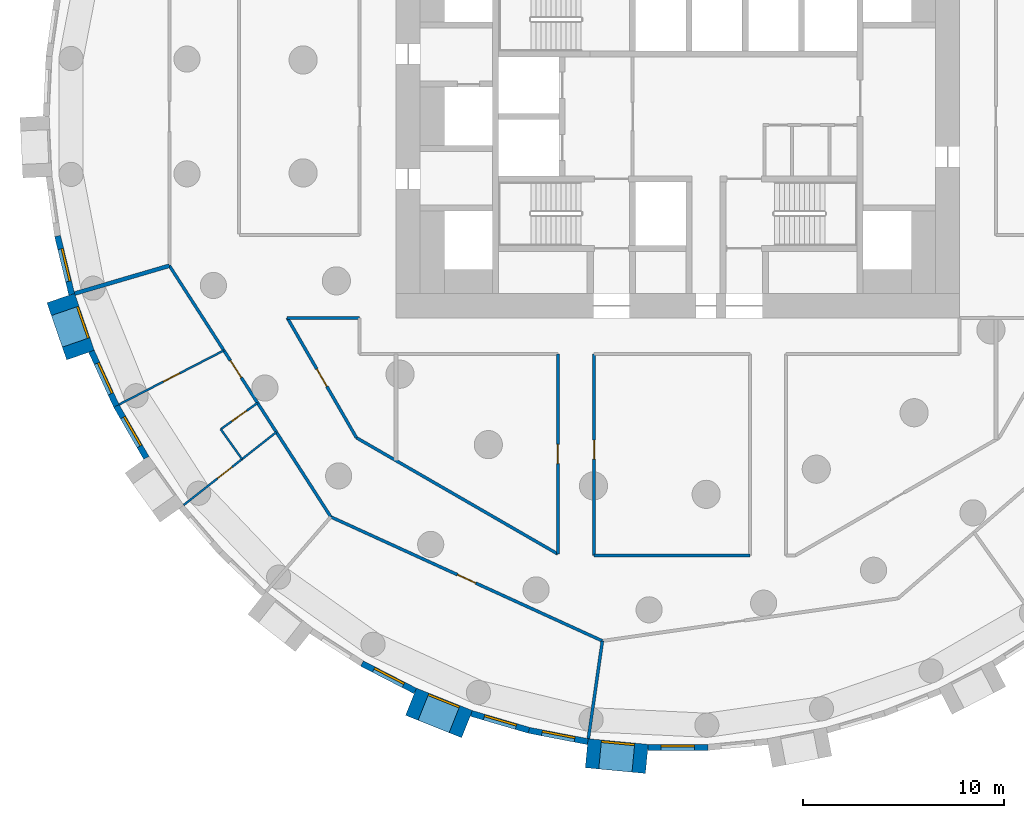
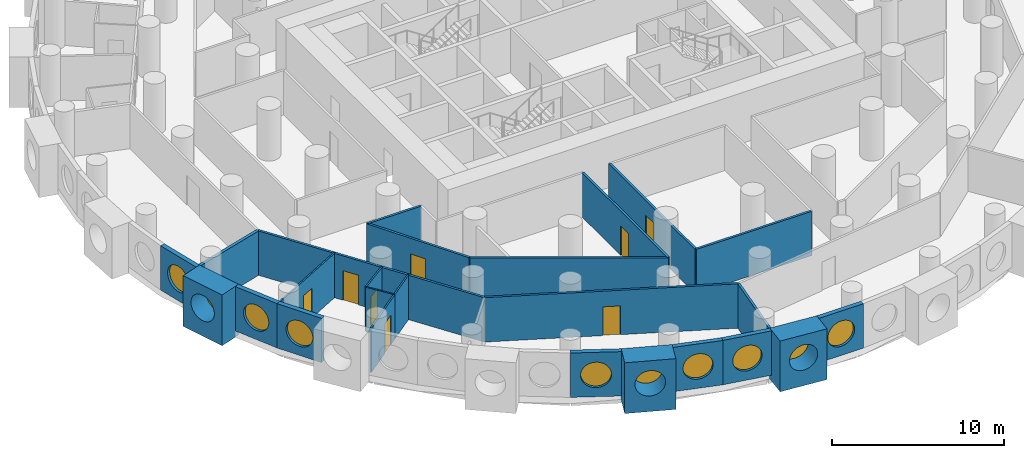
# One storey, part 3 of 12: 25 walls, 10 windows, 8 doors, 18 openings.
"""IFC4 building model written with IfcOpenShell, lengths in metres."""

from ifc_helpers import new_model, si_unit, direction, frame, frame_2d, origin, origin_2d, place, context, subcontext, project, spatial, rectangle, circle, extrude, material, layer, layer_set, type_object, element, fill, save


model = new_model("IFC4")

# Units and contexts
model_context = context("Model", 3, precision=1e-05, world=origin(), true_north=direction((0.0, 1.0)))
body_context = subcontext(model_context, "Body", "Model", "MODEL_VIEW")
ifc_project = project(units=[si_unit("LENGTHUNIT", "METRE"), si_unit("AREAUNIT", "SQUARE_METRE"), si_unit("VOLUMEUNIT", "CUBIC_METRE"), si_unit("PLANEANGLEUNIT", "RADIAN"), si_unit("MASSUNIT", "GRAM", prefix="KILO")], contexts=[model_context])

# Site, building, storey
site_placement = place(None, origin())
site = spatial("IfcSite", under=ifc_project, at=site_placement, CompositionType="ELEMENT")
building_placement = place(site_placement, origin())
building = spatial("IfcBuilding", under=site, at=building_placement, Name="Tracery Tower", CompositionType="ELEMENT")
storey_placement = place(building_placement, frame((0.0, 0.0, 85.800048828125)))
storey = spatial("IfcBuildingStorey", under=building, at=storey_placement, Name="L21", CompositionType="ELEMENT", Elevation=85.800048828125)

# Wall, opening, window
ifc_material_1 = material(Name="Precast concrete C50/60", Category="concrete")
ifc_layer_1 = layer(ifc_material_1, 1.449951171875)
ifc_layer_set_1 = layer_set([ifc_layer_1], Name="Deep-set bay unit 3000 x 3600, slab edge 450")
wall_type_1 = type_object("IfcWallType", Name="Deep-set bay unit 3000 x 3600, slab edge 450", PredefinedType="ELEMENTEDWALL", material=ifc_layer_set_1)
wall_1_placement = place(storey_placement, frame((-30.649169921875, -9.0205078125, -0.449951171875), z_axis=(0.0, 0.0, 1.0), x_axis=(0.327071431777, -0.944999618262, 0.0)))
wall_1 = element("IfcWall", 1, at=wall_1_placement, inside=storey, type_object=wall_type_1, Name="Deep-set bay unit 37 at L21", PredefinedType="ELEMENTEDWALL", context=body_context, shape_type="SweptSolid", body=[
    extrude(rectangle(XDim=3.0, YDim=1.449951171875, at=frame_2d((1.5, 0.0))), origin(), (0.0, 0.0, 1.0), 3.599853515625),
])
opening_1_placement = place(wall_1_placement, frame((1.5, 0.0, 2.0)))
opening_1 = element("IfcOpeningElement", 2, at=opening_1_placement, cuts=wall_1, Name="Opening WN1", PredefinedType="OPENING", context=body_context, shape_type="SweptSolid", body=[
    extrude(circle(Radius=0.9000244140625, at=origin_2d()), frame((0.0, 0.73486328125, 0.0), z_axis=(0.0, -1.0, 0.0), x_axis=(1.0, 0.0, 0.0)), (0.0, 0.0, 1.0), 1.469970703125),
])
ifc_material_2 = material(Name="Aluminium frame with tinted double glazing", Category="aluminium")
window_type = type_object("IfcWindowType", Name="Round window 1800", PartitioningType="SINGLE_PANEL", PredefinedType="WINDOW", material=ifc_material_2)
window_1_placement = place(opening_1_placement, origin())
window_1 = element("IfcWindow", 3, at=window_1_placement, inside=storey, type_object=window_type, Name="Round window 37 at L21", OverallHeight=1.800048828125, OverallWidth=1.800048828125, PartitioningType="SINGLE_PANEL", PredefinedType="WINDOW", context=body_context, shape_type="SweptSolid", body=[
    extrude(circle(Radius=0.9000244140625, at=origin_2d()), frame((0.0, 0.69482421875, 0.0), z_axis=(0.0, -1.0, 0.0), x_axis=(1.0, 0.0, 0.0)), (0.0, 0.0, 1.0), 0.10009765625),
])
fill(opening_1, window_1)

wall_2_placement = place(storey_placement, frame((-13.253662109375, -29.0703125, -0.449951171875), z_axis=(0.0, 0.0, 1.0), x_axis=(0.928358776184, -0.371685327504, 0.0)))
wall_2 = element("IfcWall", 4, at=wall_2_placement, inside=storey, type_object=wall_type_1, Name="Deep-set bay unit 46 at L21", PredefinedType="ELEMENTEDWALL", context=body_context, shape_type="SweptSolid", body=[
    extrude(rectangle(XDim=2.999755859375, YDim=1.449951171875, at=frame_2d((1.5, 0.0))), origin(), (0.0, 0.0, 1.0), 3.599853515625),
])
opening_2_placement = place(wall_2_placement, frame((1.5, 0.0, 2.0)))
opening_2 = element("IfcOpeningElement", 5, at=opening_2_placement, cuts=wall_2, Name="Opening WN1", PredefinedType="OPENING", context=body_context, shape_type="SweptSolid", body=[
    extrude(circle(Radius=0.9000244140625, at=origin_2d()), frame((0.0, 0.73486328125, 0.0), z_axis=(0.0, -1.0, 0.0), x_axis=(1.0, 0.0, 0.0)), (0.0, 0.0, 1.0), 1.469970703125),
])
window_2_placement = place(opening_2_placement, origin())
window_2 = element("IfcWindow", 6, at=window_2_placement, inside=storey, type_object=window_type, Name="Round window 46 at L21", OverallHeight=1.800048828125, OverallWidth=1.800048828125, PartitioningType="SINGLE_PANEL", PredefinedType="WINDOW", context=body_context, shape_type="SweptSolid", body=[
    extrude(circle(Radius=0.9000244140625, at=origin_2d()), frame((0.0, 0.69482421875, 0.0), z_axis=(0.0, -1.0, 0.0), x_axis=(1.0, 0.0, 0.0)), (0.0, 0.0, 1.0), 0.10009765625),
])
fill(opening_2, window_2)

wall_3_placement = place(storey_placement, frame((-4.52685546875, -31.626708984375, -0.449951171875), z_axis=(0.0, 0.0, 1.0), x_axis=(0.995472768558, -0.09504718333, 0.0)))
wall_3 = element("IfcWall", 7, at=wall_3_placement, inside=storey, type_object=wall_type_1, Name="Deep-set bay unit 49 at L21", PredefinedType="ELEMENTEDWALL", context=body_context, shape_type="SweptSolid", body=[
    extrude(rectangle(XDim=3.000244140625, YDim=1.449951171875, at=frame_2d((1.5, 0.0))), origin(), (0.0, 0.0, 1.0), 3.599853515625),
])
opening_3_placement = place(wall_3_placement, frame((1.5, 0.0, 2.0)))
opening_3 = element("IfcOpeningElement", 8, at=opening_3_placement, cuts=wall_3, Name="Opening WN1", PredefinedType="OPENING", context=body_context, shape_type="SweptSolid", body=[
    extrude(circle(Radius=0.9000244140625, at=origin_2d()), frame((0.0, 0.73486328125, 0.0), z_axis=(0.0, -1.0, 0.0), x_axis=(1.0, 0.0, 0.0)), (0.0, 0.0, 1.0), 1.469970703125),
])
window_3_placement = place(opening_3_placement, origin())
window_3 = element("IfcWindow", 9, at=window_3_placement, inside=storey, type_object=window_type, Name="Round window 49 at L21", OverallHeight=1.800048828125, OverallWidth=1.800048828125, PartitioningType="SINGLE_PANEL", PredefinedType="WINDOW", context=body_context, shape_type="SweptSolid", body=[
    extrude(circle(Radius=0.9000244140625, at=origin_2d()), frame((0.0, 0.69482421875, 0.0), z_axis=(0.0, -1.0, 0.0), x_axis=(1.0, 0.0, 0.0)), (0.0, 0.0, 1.0), 0.10009765625),
])
fill(opening_3, window_3)

ifc_material_3 = material(Name="Precast concrete C50/60", Category="concrete")
ifc_layer_2 = layer(ifc_material_3, 0.300048828125)
ifc_layer_set_2 = layer_set([ifc_layer_2], Name="Facade panel 3000 x 3150")
wall_type_2 = type_object("IfcWallType", Name="Facade panel 3000 x 3150", PredefinedType="SOLIDWALL", material=ifc_layer_set_2)
wall_4_placement = place(storey_placement, frame((-30.807373046875, -5.937744140625, 0.0), z_axis=(0.0, 0.0, 1.0), x_axis=(0.235743081534, -0.971815414319, 0.0)))
wall_4 = element("IfcWall", 10, at=wall_4_placement, inside=storey, type_object=wall_type_2, Name="Facade panel 36 at L21", PredefinedType="SOLIDWALL", context=body_context, shape_type="SweptSolid", body=[
    extrude(rectangle(XDim=2.9794921875, YDim=0.300048828125, at=frame_2d((1.48974609375, 0.0))), origin(), (0.0, 0.0, 1.0), 3.14990234375),
])
opening_4_placement = place(wall_4_placement, frame((1.48974609375, 0.0, 1.5498046875)))
opening_4 = element("IfcOpeningElement", 11, at=opening_4_placement, cuts=wall_4, Name="Opening WN1", PredefinedType="OPENING", context=body_context, shape_type="SweptSolid", body=[
    extrude(circle(Radius=0.9000244140625, at=origin_2d()), frame((0.0, 0.159912109375, 0.0), z_axis=(0.0, -1.0, 0.0), x_axis=(1.0, 0.0, 0.0)), (0.0, 0.0, 1.0), 0.320068359375),
])
window_4_placement = place(opening_4_placement, origin())
window_4 = element("IfcWindow", 12, at=window_4_placement, inside=storey, type_object=window_type, Name="Round window 36 at L21", OverallHeight=1.800048828125, OverallWidth=1.800048828125, PartitioningType="SINGLE_PANEL", PredefinedType="WINDOW", context=body_context, shape_type="SweptSolid", body=[
    extrude(circle(Radius=0.9000244140625, at=origin_2d()), frame((0.0, 0.1201171875, 0.0), z_axis=(0.0, -1.0, 0.0), x_axis=(1.0, 0.0, 0.0)), (0.0, 0.0, 1.0), 0.10009765625),
])
fill(opening_4, window_4)

wall_5_placement = place(storey_placement, frame((-29.12451171875, -11.666259765625, 0.0), z_axis=(0.0, 0.0, 1.0), x_axis=(0.415407317162, -0.909635509888, 0.0)))
wall_5 = element("IfcWall", 13, at=wall_5_placement, inside=storey, type_object=wall_type_2, Name="Facade panel 38 at L21", PredefinedType="SOLIDWALL", context=body_context, shape_type="SweptSolid", body=[
    extrude(rectangle(XDim=2.979736328125, YDim=0.300048828125, at=frame_2d((1.48974609375, 0.0))), origin(), (0.0, 0.0, 1.0), 3.14990234375),
])
opening_5_placement = place(wall_5_placement, frame((1.48974609375, 0.0, 1.5498046875)))
opening_5 = element("IfcOpeningElement", 14, at=opening_5_placement, cuts=wall_5, Name="Opening WN1", PredefinedType="OPENING", context=body_context, shape_type="SweptSolid", body=[
    extrude(circle(Radius=0.9000244140625, at=origin_2d()), frame((0.0, 0.159912109375, 0.0), z_axis=(0.0, -1.0, 0.0), x_axis=(1.0, 0.0, 0.0)), (0.0, 0.0, 1.0), 0.320068359375),
])
window_5_placement = place(opening_5_placement, origin())
window_5 = element("IfcWindow", 15, at=window_5_placement, inside=storey, type_object=window_type, Name="Round window 38 at L21", OverallHeight=1.800048828125, OverallWidth=1.800048828125, PartitioningType="SINGLE_PANEL", PredefinedType="WINDOW", context=body_context, shape_type="SweptSolid", body=[
    extrude(circle(Radius=0.9000244140625, at=origin_2d()), frame((0.0, 0.1201171875, 0.0), z_axis=(0.0, -1.0, 0.0), x_axis=(1.0, 0.0, 0.0)), (0.0, 0.0, 1.0), 0.10009765625),
])
fill(opening_5, window_5)

wall_6_placement = place(storey_placement, frame((-27.88671875, -14.376708984375, 0.0), z_axis=(0.0, 0.0, 1.0), x_axis=(0.499999078476, -0.866025935826, 0.0)))
wall_6 = element("IfcWall", 16, at=wall_6_placement, inside=storey, type_object=wall_type_2, Name="Facade panel 39 at L21", PredefinedType="SOLIDWALL", context=body_context, shape_type="SweptSolid", body=[
    extrude(rectangle(XDim=2.9794921875, YDim=0.300048828125, at=frame_2d((1.48974609375, 0.0))), origin(), (0.0, 0.0, 1.0), 3.14990234375),
])
opening_6_placement = place(wall_6_placement, frame((1.48974609375, 0.0, 1.5498046875)))
opening_6 = element("IfcOpeningElement", 17, at=opening_6_placement, cuts=wall_6, Name="Opening WN1", PredefinedType="OPENING", context=body_context, shape_type="SweptSolid", body=[
    extrude(circle(Radius=0.9000244140625, at=origin_2d()), frame((0.0, 0.159912109375, 0.0), z_axis=(0.0, -1.0, 0.0), x_axis=(1.0, 0.0, 0.0)), (0.0, 0.0, 1.0), 0.320068359375),
])
window_6_placement = place(opening_6_placement, origin())
window_6 = element("IfcWindow", 18, at=window_6_placement, inside=storey, type_object=window_type, Name="Round window 39 at L21", OverallHeight=1.800048828125, OverallWidth=1.800048828125, PartitioningType="SINGLE_PANEL", PredefinedType="WINDOW", context=body_context, shape_type="SweptSolid", body=[
    extrude(circle(Radius=0.9000244140625, at=origin_2d()), frame((0.0, 0.1201171875, 0.0), z_axis=(0.0, -1.0, 0.0), x_axis=(1.0, 0.0, 0.0)), (0.0, 0.0, 1.0), 0.10009765625),
])
fill(opening_6, window_6)

wall_7_placement = place(storey_placement, frame((-15.687255859375, -27.171142578125, 0.0), z_axis=(0.0, 0.0, 1.0), x_axis=(0.888853225096, -0.4581920386, 0.0)))
wall_7 = element("IfcWall", 19, at=wall_7_placement, inside=storey, type_object=wall_type_2, Name="Facade panel 45 at L21", PredefinedType="SOLIDWALL", context=body_context, shape_type="SweptSolid", body=[
    extrude(rectangle(XDim=2.9794921875, YDim=0.300048828125, at=frame_2d((1.48974609375, 0.0))), origin(), (0.0, 0.0, 1.0), 3.14990234375),
])
opening_7_placement = place(wall_7_placement, frame((1.48974609375, 0.0, 1.5498046875)))
opening_7 = element("IfcOpeningElement", 20, at=opening_7_placement, cuts=wall_7, Name="Opening WN1", PredefinedType="OPENING", context=body_context, shape_type="SweptSolid", body=[
    extrude(circle(Radius=0.9000244140625, at=origin_2d()), frame((0.0, 0.159912109375, 0.0), z_axis=(0.0, -1.0, 0.0), x_axis=(1.0, 0.0, 0.0)), (0.0, 0.0, 1.0), 0.320068359375),
])
window_7_placement = place(opening_7_placement, origin())
window_7 = element("IfcWindow", 21, at=window_7_placement, inside=storey, type_object=window_type, Name="Round window 45 at L21", OverallHeight=1.800048828125, OverallWidth=1.800048828125, PartitioningType="SINGLE_PANEL", PredefinedType="WINDOW", context=body_context, shape_type="SweptSolid", body=[
    extrude(circle(Radius=0.9000244140625, at=origin_2d()), frame((0.0, 0.1201171875, 0.0), z_axis=(0.0, -1.0, 0.0), x_axis=(1.0, 0.0, 0.0)), (0.0, 0.0, 1.0), 0.10009765625),
])
fill(opening_7, window_7)

wall_8_placement = place(storey_placement, frame((-10.255859375, -29.650634765625, 0.0), z_axis=(0.0, 0.0, 1.0), x_axis=(0.959507586834, -0.28168278401, 0.0)))
wall_8 = element("IfcWall", 22, at=wall_8_placement, inside=storey, type_object=wall_type_2, Name="Facade panel 47 at L21", PredefinedType="SOLIDWALL", context=body_context, shape_type="SweptSolid", body=[
    extrude(rectangle(XDim=2.979736328125, YDim=0.300048828125, at=frame_2d((1.48974609375, 0.0))), origin(), (0.0, 0.0, 1.0), 3.14990234375),
])
opening_8_placement = place(wall_8_placement, frame((1.48974609375, 0.0, 1.5498046875)))
opening_8 = element("IfcOpeningElement", 23, at=opening_8_placement, cuts=wall_8, Name="Opening WN1", PredefinedType="OPENING", context=body_context, shape_type="SweptSolid", body=[
    extrude(circle(Radius=0.9000244140625, at=origin_2d()), frame((0.0, 0.159912109375, 0.0), z_axis=(0.0, -1.0, 0.0), x_axis=(1.0, 0.0, 0.0)), (0.0, 0.0, 1.0), 0.320068359375),
])
window_8_placement = place(opening_8_placement, origin())
window_8 = element("IfcWindow", 24, at=window_8_placement, inside=storey, type_object=window_type, Name="Round window 47 at L21", OverallHeight=1.800048828125, OverallWidth=1.800048828125, PartitioningType="SINGLE_PANEL", PredefinedType="WINDOW", context=body_context, shape_type="SweptSolid", body=[
    extrude(circle(Radius=0.9000244140625, at=origin_2d()), frame((0.0, 0.1201171875, 0.0), z_axis=(0.0, -1.0, 0.0), x_axis=(1.0, 0.0, 0.0)), (0.0, 0.0, 1.0), 0.10009765625),
])
fill(opening_8, window_8)

wall_9_placement = place(storey_placement, frame((-7.396728515625, -30.489990234375, 0.0), z_axis=(0.0, 0.0, 1.0), x_axis=(0.981924535406, -0.189272836848, 0.0)))
wall_9 = element("IfcWall", 25, at=wall_9_placement, inside=storey, type_object=wall_type_2, Name="Facade panel 48 at L21", PredefinedType="SOLIDWALL", context=body_context, shape_type="SweptSolid", body=[
    extrude(rectangle(XDim=2.979736328125, YDim=0.300048828125, at=frame_2d((1.48974609375, 0.0))), origin(), (0.0, 0.0, 1.0), 3.14990234375),
])
opening_9_placement = place(wall_9_placement, frame((1.48974609375, 0.0, 1.5498046875)))
opening_9 = element("IfcOpeningElement", 26, at=opening_9_placement, cuts=wall_9, Name="Opening WN1", PredefinedType="OPENING", context=body_context, shape_type="SweptSolid", body=[
    extrude(circle(Radius=0.9000244140625, at=origin_2d()), frame((0.0, 0.159912109375, 0.0), z_axis=(0.0, -1.0, 0.0), x_axis=(1.0, 0.0, 0.0)), (0.0, 0.0, 1.0), 0.320068359375),
])
window_9_placement = place(opening_9_placement, origin())
window_9 = element("IfcWindow", 27, at=window_9_placement, inside=storey, type_object=window_type, Name="Round window 48 at L21", OverallHeight=1.800048828125, OverallWidth=1.800048828125, PartitioningType="SINGLE_PANEL", PredefinedType="WINDOW", context=body_context, shape_type="SweptSolid", body=[
    extrude(circle(Radius=0.9000244140625, at=origin_2d()), frame((0.0, 0.1201171875, 0.0), z_axis=(0.0, -1.0, 0.0), x_axis=(1.0, 0.0, 0.0)), (0.0, 0.0, 1.0), 0.10009765625),
])
fill(opening_9, window_9)

wall_10_placement = place(storey_placement, frame((-1.48681640625, -31.3388671875, 0.0), z_axis=(0.0, 0.0, 1.0), x_axis=(1.0, 0.0, 0.0)))
wall_10 = element("IfcWall", 28, at=wall_10_placement, inside=storey, type_object=wall_type_2, Name="Facade panel 50 at L21", PredefinedType="SOLIDWALL", context=body_context, shape_type="SweptSolid", body=[
    extrude(rectangle(XDim=2.979736328125, YDim=0.300048828125, at=frame_2d((1.48974609375, 0.0))), origin(), (0.0, 0.0, 1.0), 3.14990234375),
])
opening_10_placement = place(wall_10_placement, frame((1.48974609375, 0.0, 1.5498046875)))
opening_10 = element("IfcOpeningElement", 29, at=opening_10_placement, cuts=wall_10, Name="Opening WN1", PredefinedType="OPENING", context=body_context, shape_type="SweptSolid", body=[
    extrude(circle(Radius=0.9000244140625, at=origin_2d()), frame((0.0, 0.159912109375, 0.0), z_axis=(0.0, -1.0, 0.0), x_axis=(1.0, 0.0, 0.0)), (0.0, 0.0, 1.0), 0.320068359375),
])
window_10_placement = place(opening_10_placement, origin())
window_10 = element("IfcWindow", 30, at=window_10_placement, inside=storey, type_object=window_type, Name="Round window 50 at L21", OverallHeight=1.800048828125, OverallWidth=1.800048828125, PartitioningType="SINGLE_PANEL", PredefinedType="WINDOW", context=body_context, shape_type="SweptSolid", body=[
    extrude(circle(Radius=0.9000244140625, at=origin_2d()), frame((0.0, 0.1201171875, 0.0), z_axis=(0.0, -1.0, 0.0), x_axis=(1.0, 0.0, 0.0)), (0.0, 0.0, 1.0), 0.10009765625),
])
fill(opening_10, window_10)

# Wall, opening, door
ifc_material_4 = material(Name="Plasterboard on steel studs", Category="steel")
ifc_layer_3 = layer(ifc_material_4, 0.10009765625)
ifc_layer_set_3 = layer_set([ifc_layer_3], Name="Partition 100 stud")
wall_type_3 = type_object("IfcWallType", Name="Partition 100 stud", PredefinedType="PARTITIONING", material=ifc_layer_set_3)
wall_11_placement = place(storey_placement, frame((-27.7529296875, -14.30810546875, 0.0), z_axis=(0.0, 0.0, 1.0), x_axis=(0.88877955153, 0.45833493079, 0.0)))
wall_11 = element("IfcWall", 31, at=wall_11_placement, inside=storey, type_object=wall_type_3, Name="Stud partition RA6-092", PredefinedType="PARTITIONING", context=body_context, shape_type="SweptSolid", body=[
    extrude(rectangle(XDim=5.856201171875, YDim=0.10009765625, at=frame_2d((2.92822265625, 0.0))), origin(), (0.0, 0.0, 1.0), 3.14990234375),
])
opening_11_placement = place(wall_11_placement, frame((2.47802734375, 0.0, 0.0)))
opening_11 = element("IfcOpeningElement", 32, at=opening_11_placement, cuts=wall_11, Name="Opening RA6-36", PredefinedType="OPENING", context=body_context, shape_type="SweptSolid", body=[
    extrude(rectangle(XDim=0.89990234375, YDim=2.10009765625, at=frame_2d((0.449951171875, 1.050048828125))), frame((0.0, 0.050048828125, 0.0), z_axis=(0.0, -1.0, 0.0), x_axis=(1.0, 0.0, 0.0)), (0.0, 0.0, 1.0), 0.10009765625),
])
ifc_material_5 = material(Name="Timber door leaf", Category="wood")
door_type_1 = type_object("IfcDoorType", Name="Door bedroom 900", OperationType="NOTDEFINED", PredefinedType="DOOR", material=ifc_material_5)
door_1_placement = place(opening_11_placement, origin())
door_1 = element("IfcDoor", 33, at=door_1_placement, inside=storey, type_object=door_type_1, Name="Bedroom door RA6-36", OperationType="SINGLE_SWING_LEFT", OverallHeight=2.10009765625, OverallWidth=0.89990234375, PredefinedType="DOOR", context=body_context, shape_type="SweptSolid", body=[
    extrude(rectangle(XDim=0.89990234375, YDim=2.10009765625, at=frame_2d((0.449951171875, 1.050048828125))), frame((0.0, 0.02490234375, 0.0), z_axis=(0.0, -1.0, 0.0), x_axis=(1.0, 0.0, 0.0)), (0.0, 0.0, 1.0), 0.050048828125),
])
fill(opening_11, door_1)

wall_12_placement = place(storey_placement, frame((-24.5439453125, -19.302001953125, 0.0), z_axis=(0.0, 0.0, 1.0), x_axis=(0.785987576403, 0.618242290481, 0.0)))
wall_12 = element("IfcWall", 34, at=wall_12_placement, inside=storey, type_object=wall_type_3, Name="Stud partition RA6-093", PredefinedType="PARTITIONING", context=body_context, shape_type="SweptSolid", body=[
    extrude(rectangle(XDim=3.689453125, YDim=0.10009765625, at=frame_2d((1.8447265625, 0.0))), origin(), (0.0, 0.0, 1.0), 3.14990234375),
])
opening_12_placement = place(wall_12_placement, frame((2.14453125, 0.0, 0.0)))
opening_12 = element("IfcOpeningElement", 35, at=opening_12_placement, cuts=wall_12, Name="Opening RA6-37", PredefinedType="OPENING", context=body_context, shape_type="SweptSolid", body=[
    extrude(rectangle(XDim=0.89990234375, YDim=2.10009765625, at=frame_2d((0.449951171875, 1.050048828125))), frame((0.0, 0.050048828125, 0.0), z_axis=(0.0, -1.0, 0.0), x_axis=(1.0, 0.0, 0.0)), (0.0, 0.0, 1.0), 0.10009765625),
])
door_2_placement = place(opening_12_placement, origin())
door_2 = element("IfcDoor", 36, at=door_2_placement, inside=storey, type_object=door_type_1, Name="Bedroom door RA6-37", OperationType="SINGLE_SWING_LEFT", OverallHeight=2.10009765625, OverallWidth=0.89990234375, PredefinedType="DOOR", context=body_context, shape_type="SweptSolid", body=[
    extrude(rectangle(XDim=0.89990234375, YDim=2.10009765625, at=frame_2d((0.449951171875, 1.050048828125))), frame((0.0, 0.02490234375, 0.0), z_axis=(0.0, -1.0, 0.0), x_axis=(1.0, 0.0, 0.0)), (0.0, 0.0, 1.0), 0.050048828125),
])
fill(opening_12, door_2)

ifc_material_6 = material(Name="Plasterboard on steel studs", Category="steel")
ifc_layer_4 = layer(ifc_material_6, 0.10009765625)
ifc_layer_set_4 = layer_set([ifc_layer_4], Name="Partition 100 wet wall")
wall_type_4 = type_object("IfcWallType", Name="Partition 100 wet wall", PredefinedType="PARTITIONING", material=ifc_layer_set_4)
wall_13_placement = place(storey_placement, frame((-22.702880859375, -15.534912109375, 0.0), z_axis=(0.0, 0.0, 1.0), x_axis=(0.814525331415, 0.580127989743, 0.0)))
wall_13 = element("IfcWall", 37, at=wall_13_placement, inside=storey, type_object=wall_type_4, Name="Wet wall RA6-094", PredefinedType="PARTITIONING", context=body_context, shape_type="SweptSolid", body=[
    extrude(rectangle(XDim=2.247802734375, YDim=0.10009765625, at=frame_2d((1.1240234375, 0.0))), origin(), (0.0, 0.0, 1.0), 3.14990234375),
])
opening_13_placement = place(wall_13_placement, frame((0.673828125, 0.0, 0.0)))
opening_13 = element("IfcOpeningElement", 38, at=opening_13_placement, cuts=wall_13, Name="Opening RA6-38", PredefinedType="OPENING", context=body_context, shape_type="SweptSolid", body=[
    extrude(rectangle(XDim=0.89990234375, YDim=2.0, at=frame_2d((0.449951171875, 1.0))), frame((0.0, 0.050048828125, 0.0), z_axis=(0.0, -1.0, 0.0), x_axis=(1.0, 0.0, 0.0)), (0.0, 0.0, 1.0), 0.10009765625),
])
ifc_material_7 = material(Name="Timber door leaf", Category="wood")
door_type_2 = type_object("IfcDoorType", Name="Door shower room 900", OperationType="NOTDEFINED", PredefinedType="DOOR", material=ifc_material_7)
door_3_placement = place(opening_13_placement, origin())
door_3 = element("IfcDoor", 39, at=door_3_placement, inside=storey, type_object=door_type_2, Name="Shower room door RA6-38", OperationType="SINGLE_SWING_RIGHT", OverallHeight=2.0, OverallWidth=0.89990234375, PredefinedType="DOOR", context=body_context, shape_type="SweptSolid", body=[
    extrude(rectangle(XDim=0.89990234375, YDim=2.0, at=frame_2d((0.449951171875, 1.0))), frame((0.0, 0.02490234375, 0.0), z_axis=(0.0, -1.0, 0.0), x_axis=(1.0, 0.0, 0.0)), (0.0, 0.0, 1.0), 0.050048828125),
])
fill(opening_13, door_3)

# Walls
wall_14_placement = place(storey_placement, frame((-22.702880859375, -15.534912109375, 0.0), z_axis=(0.0, 0.0, 1.0), x_axis=(0.580275898497, -0.814419966371, 0.0)))
element("IfcWall", 40, at=wall_14_placement, inside=storey, type_object=wall_type_4, Name="Wet wall RA6-095", PredefinedType="PARTITIONING", context=body_context, shape_type="SweptSolid", body=[
    extrude(rectangle(XDim=1.82470703125, YDim=0.10009765625, at=frame_2d((0.912353515625, 0.0))), origin(), (0.0, 0.0, 1.0), 3.14990234375),
])
wall_15_placement = place(storey_placement, frame((-21.64697265625, -17.02294921875, 0.0), z_axis=(0.0, 0.0, 1.0), x_axis=(0.786138836794, 0.618049940769, 0.0)))
element("IfcWall", 41, at=wall_15_placement, inside=storey, type_object=wall_type_4, Name="Wet wall RA6-096", PredefinedType="PARTITIONING", context=body_context, shape_type="SweptSolid", body=[
    extrude(rectangle(XDim=2.17138671875, YDim=0.10009765625, at=frame_2d((1.085693359375, 0.0))), origin(), (0.0, 0.0, 1.0), 3.14990234375),
])
ifc_material_8 = material(Name="Plasterboard on steel studs", Category="steel")
ifc_layer_5 = layer(ifc_material_8, 0.14990234375)
ifc_layer_set_5 = layer_set([ifc_layer_5], Name="Partition 150 acoustic unit wall")
wall_type_5 = type_object("IfcWallType", Name="Partition 150 acoustic unit wall", PredefinedType="PARTITIONING", material=ifc_layer_set_5)
wall_16_placement = place(storey_placement, frame((-4.444091796875, -30.906005859375, 0.0), z_axis=(0.0, 0.0, 1.0), x_axis=(0.142306296561, 0.989822669956, 0.0)))
element("IfcWall", 42, at=wall_16_placement, inside=storey, type_object=wall_type_5, Name="Unit wall RA6-098", PredefinedType="PARTITIONING", context=body_context, shape_type="SweptSolid", body=[
    extrude(rectangle(XDim=4.90478515625, YDim=0.14990234375, at=frame_2d((2.452392578125, 0.0))), origin(), (0.0, 0.0, 1.0), 3.14990234375),
])
ifc_material_9 = material(Name="Plasterboard on steel studs", Category="steel")
ifc_layer_6 = layer(ifc_material_9, 0.14990234375)
ifc_layer_set_6 = layer_set([ifc_layer_6], Name="Partition 150 corridor wall")
wall_type_6 = type_object("IfcWallType", Name="Partition 150 corridor wall", PredefinedType="PARTITIONING", material=ifc_layer_set_6)
wall_17_placement = place(storey_placement, frame((-19.40087890625, -10.0, 0.0), z_axis=(0.0, 0.0, 1.0), x_axis=(1.0, 0.0, 0.0)))
element("IfcWall", 43, at=wall_17_placement, inside=storey, type_object=wall_type_6, Name="Corridor wall RA6-038", PredefinedType="PARTITIONING", context=body_context, shape_type="SweptSolid", body=[
    extrude(rectangle(XDim=3.600830078125, YDim=0.14990234375, at=frame_2d((1.80029296875, 0.0))), origin(), (0.0, 0.0, 1.0), 3.14990234375),
])

# Wall, opening, door
wall_18_placement = place(storey_placement, frame((-19.40087890625, -10.0, 0.0), z_axis=(0.0, 0.0, 1.0), x_axis=(0.499992689227, -0.86602962462, 0.0)))
wall_18 = element("IfcWall", 44, at=wall_18_placement, inside=storey, type_object=wall_type_6, Name="Corridor wall RA6-039", PredefinedType="PARTITIONING", context=body_context, shape_type="SweptSolid", body=[
    extrude(rectangle(XDim=6.8818359375, YDim=0.14990234375, at=frame_2d((3.44091796875, 0.0))), origin(), (0.0, 0.0, 1.0), 3.14990234375),
])
opening_14_placement = place(wall_18_placement, frame((2.94091796875, 0.0, 0.0)))
opening_14 = element("IfcOpeningElement", 45, at=opening_14_placement, cuts=wall_18, Name="Opening RA6-10", PredefinedType="OPENING", context=body_context, shape_type="SweptSolid", body=[
    extrude(rectangle(XDim=1.0, YDim=2.0400390625, at=frame_2d((0.5, 1.02001953125))), frame((0.0, 0.074951171875, 0.0), z_axis=(0.0, -1.0, 0.0), x_axis=(1.0, 0.0, 0.0)), (0.0, 0.0, 1.0), 0.14990234375),
])
ifc_material_10 = material(Name="Timber door leaf", Category="wood")
door_type_3 = type_object("IfcDoorType", Name="Door communal room 1000", OperationType="NOTDEFINED", PredefinedType="DOOR", material=ifc_material_10)
door_4_placement = place(opening_14_placement, origin())
door_4 = element("IfcDoor", 46, at=door_4_placement, inside=storey, type_object=door_type_3, Name="Communal room door RA6-10", OperationType="SINGLE_SWING_LEFT", OverallHeight=2.0400390625, OverallWidth=1.0, PredefinedType="DOOR", context=body_context, shape_type="SweptSolid", body=[
    extrude(rectangle(XDim=1.0, YDim=2.0400390625, at=frame_2d((0.5, 1.02001953125))), frame((0.0, 0.02490234375, 0.0), z_axis=(0.0, -1.0, 0.0), x_axis=(1.0, 0.0, 0.0)), (0.0, 0.0, 1.0), 0.050048828125),
])
fill(opening_14, door_4)

wall_19_placement = place(storey_placement, frame((-25.252685546875, -7.414794921875, 0.0), z_axis=(0.0, 0.0, 1.0), x_axis=(0.540667724156, -0.841236240337, 0.0)))
wall_19 = element("IfcWall", 47, at=wall_19_placement, inside=storey, type_object=wall_type_6, Name="Corridor wall RA6-043", PredefinedType="PARTITIONING", context=body_context, shape_type="SweptSolid", body=[
    extrude(rectangle(XDim=14.82958984375, YDim=0.14990234375, at=frame_2d((7.414794921875, 0.0))), origin(), (0.0, 0.0, 1.0), 3.14990234375),
])
opening_15_placement = place(wall_19_placement, frame((5.60205078125, 0.0, 0.0)))
opening_15 = element("IfcOpeningElement", 48, at=opening_15_placement, cuts=wall_19, Name="Opening RA6-39", PredefinedType="OPENING", context=body_context, shape_type="SweptSolid", body=[
    extrude(rectangle(XDim=1.0, YDim=2.10009765625, at=frame_2d((0.5, 1.050048828125))), frame((0.0, 0.074951171875, 0.0), z_axis=(0.0, -1.0, 0.0), x_axis=(1.0, 0.0, 0.0)), (0.0, 0.0, 1.0), 0.14990234375),
])
ifc_material_11 = material(Name="Timber door leaf", Category="wood")
door_type_4 = type_object("IfcDoorType", Name="Door unit entrance 1000", OperationType="NOTDEFINED", PredefinedType="DOOR", material=ifc_material_11)
door_5_placement = place(opening_15_placement, origin())
door_5 = element("IfcDoor", 49, at=door_5_placement, inside=storey, type_object=door_type_4, Name="Unit entrance door RA6-39", OperationType="SINGLE_SWING_RIGHT", OverallHeight=2.10009765625, OverallWidth=1.0, PredefinedType="DOOR", context=body_context, shape_type="SweptSolid", body=[
    extrude(rectangle(XDim=1.0, YDim=2.10009765625, at=frame_2d((0.5, 1.050048828125))), frame((0.0, 0.02490234375, 0.0), z_axis=(0.0, -1.0, 0.0), x_axis=(1.0, 0.0, 0.0)), (0.0, 0.0, 1.0), 0.050048828125),
])
fill(opening_15, door_5)

# Wall
wall_20_placement = place(storey_placement, frame((-15.960205078125, -15.960205078125, 0.0), z_axis=(0.0, 0.0, 1.0), x_axis=(0.86602397904, -0.500002467721, 0.0)))
element("IfcWall", 50, at=wall_20_placement, inside=storey, type_object=wall_type_6, Name="Corridor wall RA6-044", PredefinedType="PARTITIONING", context=body_context, shape_type="SweptSolid", body=[
    extrude(rectangle(XDim=11.54736328125, YDim=0.14990234375, at=frame_2d((5.773681640625, 0.0))), origin(), (0.0, 0.0, 1.0), 3.14990234375),
])

# Wall, opening, door
wall_21_placement = place(storey_placement, frame((-5.9599609375, -21.73388671875, 0.0), z_axis=(0.0, 0.0, 1.0), x_axis=(0.0, 1.0, 0.0)))
wall_21 = element("IfcWall", 51, at=wall_21_placement, inside=storey, type_object=wall_type_6, Name="Corridor wall RA6-045", PredefinedType="PARTITIONING", context=body_context, shape_type="SweptSolid", body=[
    extrude(rectangle(XDim=9.933837890625, YDim=0.14990234375, at=frame_2d((4.966796875, 0.0))), origin(), (0.0, 0.0, 1.0), 3.14990234375),
])
opening_16_placement = place(wall_21_placement, frame((4.491943359375, 0.0, 0.0)))
opening_16 = element("IfcOpeningElement", 52, at=opening_16_placement, cuts=wall_21, Name="Opening RA6-04", PredefinedType="OPENING", context=body_context, shape_type="SweptSolid", body=[
    extrude(rectangle(XDim=0.949951171875, YDim=2.10009765625, at=frame_2d((0.47509765625, 1.050048828125))), frame((0.0, 0.074951171875, 0.0), z_axis=(0.0, -1.0, 0.0), x_axis=(1.0, 0.0, 0.0)), (0.0, 0.0, 1.0), 0.14990234375),
])
ifc_material_12 = material(Name="Timber door leaf", Category="wood")
door_type_5 = type_object("IfcDoorType", Name="Door store 950", OperationType="NOTDEFINED", PredefinedType="DOOR", material=ifc_material_12)
door_6_placement = place(opening_16_placement, origin())
door_6 = element("IfcDoor", 53, at=door_6_placement, inside=storey, type_object=door_type_5, Name="Store door RA6-04", OperationType="SINGLE_SWING_LEFT", OverallHeight=2.10009765625, OverallWidth=0.949951171875, PredefinedType="DOOR", context=body_context, shape_type="SweptSolid", body=[
    extrude(rectangle(XDim=0.949951171875, YDim=2.10009765625, at=frame_2d((0.47509765625, 1.050048828125))), frame((0.0, 0.02490234375, 0.0), z_axis=(0.0, -1.0, 0.0), x_axis=(1.0, 0.0, 0.0)), (0.0, 0.0, 1.0), 0.050048828125),
])
fill(opening_16, door_6)

wall_22_placement = place(storey_placement, frame((-4.159912109375, -21.802001953125, 0.0), z_axis=(0.0, 0.0, 1.0), x_axis=(0.0, 1.0, 0.0)))
wall_22 = element("IfcWall", 54, at=wall_22_placement, inside=storey, type_object=wall_type_6, Name="Corridor wall RA6-046", PredefinedType="PARTITIONING", context=body_context, shape_type="SweptSolid", body=[
    extrude(rectangle(XDim=10.001953125, YDim=0.14990234375, at=frame_2d((5.0009765625, 0.0))), origin(), (0.0, 0.0, 1.0), 3.14990234375),
])
opening_17_placement = place(wall_22_placement, frame((4.77587890625, 0.0, 0.0)))
opening_17 = element("IfcOpeningElement", 55, at=opening_17_placement, cuts=wall_22, Name="Opening RA6-05", PredefinedType="OPENING", context=body_context, shape_type="SweptSolid", body=[
    extrude(rectangle(XDim=0.949951171875, YDim=2.10009765625, at=frame_2d((0.47509765625, 1.050048828125))), frame((0.0, 0.074951171875, 0.0), z_axis=(0.0, -1.0, 0.0), x_axis=(1.0, 0.0, 0.0)), (0.0, 0.0, 1.0), 0.14990234375),
])
door_7_placement = place(opening_17_placement, origin())
door_7 = element("IfcDoor", 56, at=door_7_placement, inside=storey, type_object=door_type_5, Name="Store door RA6-05", OperationType="SINGLE_SWING_LEFT", OverallHeight=2.10009765625, OverallWidth=0.949951171875, PredefinedType="DOOR", context=body_context, shape_type="SweptSolid", body=[
    extrude(rectangle(XDim=0.949951171875, YDim=2.10009765625, at=frame_2d((0.47509765625, 1.050048828125))), frame((0.0, 0.02490234375, 0.0), z_axis=(0.0, -1.0, 0.0), x_axis=(1.0, 0.0, 0.0)), (0.0, 0.0, 1.0), 0.050048828125),
])
fill(opening_17, door_7)

# Wall
wall_23_placement = place(storey_placement, frame((-4.159912109375, -21.802001953125, 0.0), z_axis=(0.0, 0.0, 1.0), x_axis=(1.0, 0.0, 0.0)))
element("IfcWall", 57, at=wall_23_placement, inside=storey, type_object=wall_type_6, Name="Corridor wall RA6-047", PredefinedType="PARTITIONING", context=body_context, shape_type="SweptSolid", body=[
    extrude(rectangle(XDim=7.73583984375, YDim=0.14990234375, at=frame_2d((3.867919921875, 0.0))), origin(), (0.0, 0.0, 1.0), 3.14990234375),
])

# Wall, opening, door
wall_24_placement = place(storey_placement, frame((-17.235107421875, -19.889892578125, 0.0), z_axis=(0.0, 0.0, 1.0), x_axis=(0.90960889055, -0.415465601743, 0.0)))
wall_24 = element("IfcWall", 58, at=wall_24_placement, inside=storey, type_object=wall_type_6, Name="Corridor wall RA6-052", PredefinedType="PARTITIONING", context=body_context, shape_type="SweptSolid", body=[
    extrude(rectangle(XDim=14.829345703125, YDim=0.14990234375, at=frame_2d((7.41455078125, 0.0))), origin(), (0.0, 0.0, 1.0), 3.14990234375),
])
opening_18_placement = place(wall_24_placement, frame((6.914306640625, 0.0, 0.0)))
opening_18 = element("IfcOpeningElement", 59, at=opening_18_placement, cuts=wall_24, Name="Opening RA6-40", PredefinedType="OPENING", context=body_context, shape_type="SweptSolid", body=[
    extrude(rectangle(XDim=1.0, YDim=2.0400390625, at=frame_2d((0.5, 1.02001953125))), frame((0.0, 0.074951171875, 0.0), z_axis=(0.0, -1.0, 0.0), x_axis=(1.0, 0.0, 0.0)), (0.0, 0.0, 1.0), 0.14990234375),
])
door_8_placement = place(opening_18_placement, origin())
door_8 = element("IfcDoor", 60, at=door_8_placement, inside=storey, type_object=door_type_3, Name="Communal room door RA6-40", OperationType="SINGLE_SWING_RIGHT", OverallHeight=2.0400390625, OverallWidth=1.0, PredefinedType="DOOR", context=body_context, shape_type="SweptSolid", body=[
    extrude(rectangle(XDim=1.0, YDim=2.0400390625, at=frame_2d((0.5, 1.02001953125))), frame((0.0, 0.02490234375, 0.0), z_axis=(0.0, -1.0, 0.0), x_axis=(1.0, 0.0, 0.0)), (0.0, 0.0, 1.0), 0.050048828125),
])
fill(opening_18, door_8)

# Wall
ifc_material_13 = material(Name="Plasterboard on steel studs", Category="steel")
ifc_layer_7 = layer(ifc_material_13, 0.199951171875)
ifc_layer_set_7 = layer_set([ifc_layer_7], Name="Partition 200 compartment wall")
wall_type_7 = type_object("IfcWallType", Name="Partition 200 compartment wall", PredefinedType="PARTITIONING", material=ifc_layer_set_7)
wall_25_placement = place(storey_placement, frame((-29.958984375, -8.797119140625, 0.0), z_axis=(0.0, 0.0, 1.0), x_axis=(0.959478767209, 0.281780934902, 0.0)))
element("IfcWall", 61, at=wall_25_placement, inside=storey, type_object=wall_type_7, Name="Compartment wall RA6-091", PredefinedType="PARTITIONING", context=body_context, shape_type="SweptSolid", body=[
    extrude(rectangle(XDim=4.90478515625, YDim=0.199951171875, at=frame_2d((2.452392578125, 0.0))), origin(), (0.0, 0.0, 1.0), 3.14990234375),
])

save(model, "model.ifc")
